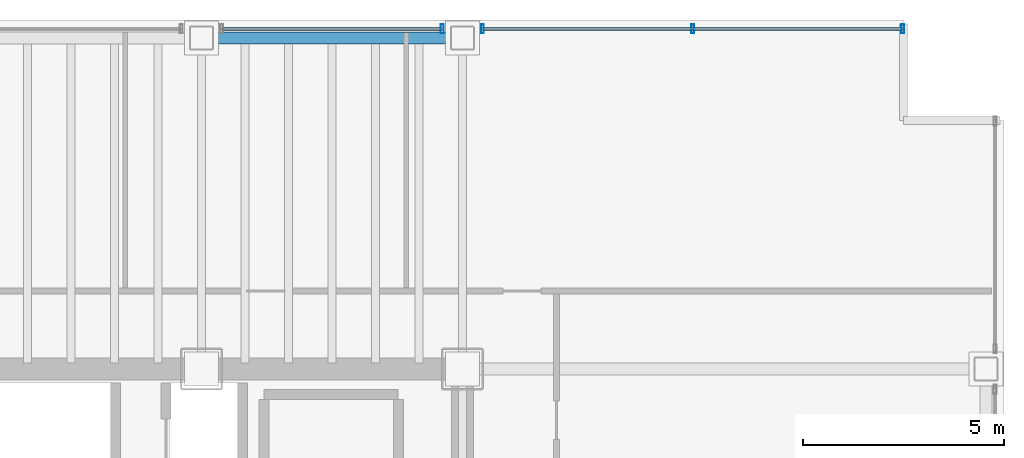
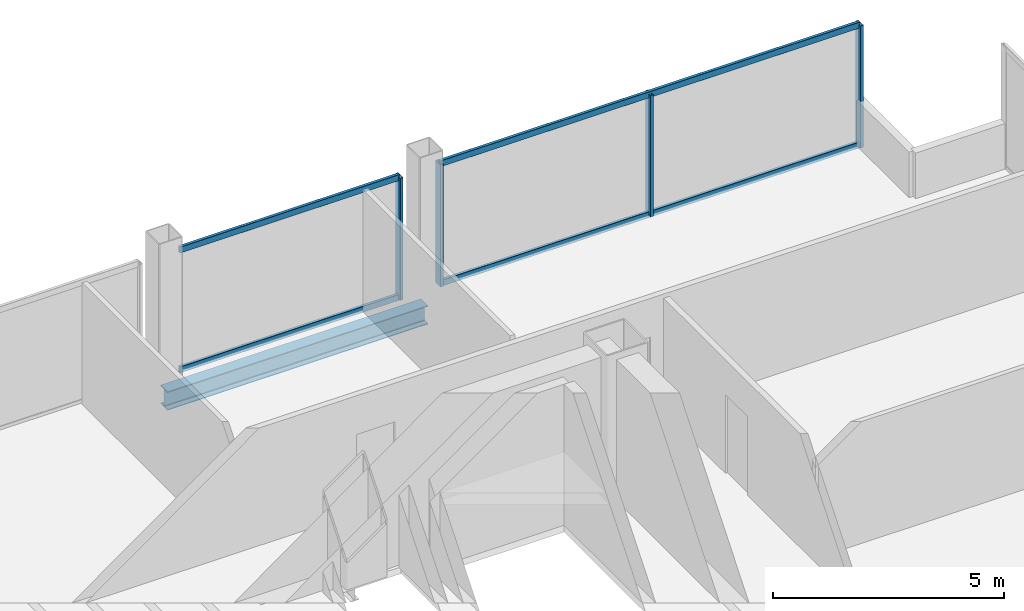
# One storey, part 15 of 20: 8 members, 1 beam, 2 elements without a shape of their own.
"""IFC4 building model written with IfcOpenShell, lengths in metres."""

import ifcopenshell
import ifcopenshell.guid

model = None  # the IFC model being written
_history = None  # IfcOwnerHistory: only IFC2X3 demands one
_inside = {}  # id of a spatial element -> (the spatial element, [elements in it])
_under = {}  # id of a project, library or spatial element -> (it, [spatial elements below it])
_declared = {}  # id of a project -> (the project, [libraries it declares])
_typed = {}  # id of a type object -> (the type object, [elements of that type])
_made_of = {}  # id of a material, layer set ... -> (it, [elements and type objects made of it])


def new_model(schema):
    """Start an empty IFC model of exactly this schema.

    Asked for "IFC4X3", IfcOpenShell would pick the latest addendum, in which some entities
    have other attributes; the version numbers below select the first issue.
    IFC2X3 requires an IfcOwnerHistory on every rooted entity: one is made here for all.
    """
    global model, _history
    if schema == "IFC4X3":
        model = ifcopenshell.file(schema_version=(4, 3, 0, 0))
    else:
        model = ifcopenshell.file(schema=schema)
    _inside.clear()
    _under.clear()
    _declared.clear()
    _typed.clear()
    _made_of.clear()
    _history = None
    if model.schema == "IFC2X3":
        org = make("IfcOrganization", Name="unknown")
        user = make(
            "IfcPersonAndOrganization",
            ThePerson=make("IfcPerson", FamilyName="unknown"),
            TheOrganization=org,
        )
        app = make(
            "IfcApplication",
            ApplicationDeveloper=org,
            Version="unknown",
            ApplicationFullName="unknown",
            ApplicationIdentifier="unknown",
        )
        _history = make(
            "IfcOwnerHistory",
            OwningUser=user,
            OwningApplication=app,
            ChangeAction="ADDED",
            CreationDate=0,
        )
    return model


def make(cls, **values):
    """One entity of the class cls with the attributes given. An attribute that is None is left unset."""
    return model.create_entity(
        cls, **{name: value for name, value in values.items() if value is not None}
    )


def rooted(cls, **values):
    """An entity with a GlobalId (a new one), such as an element, a storey or a relation."""
    return make(cls, GlobalId=ifcopenshell.guid.new(), OwnerHistory=_history, **values)


def si_unit(unit_type, name, prefix=None):
    """IfcSIUnit, for example si_unit("LENGTHUNIT", "METRE", prefix="MILLI")."""
    return make("IfcSIUnit", UnitType=unit_type, Prefix=prefix, Name=name)


def assignment(units):
    """IfcUnitAssignment: the units of a project."""
    return None if units is None else make("IfcUnitAssignment", Units=units)


def point(xyz):
    """IfcCartesianPoint."""
    return None if xyz is None else make("IfcCartesianPoint", Coordinates=xyz)


def direction(xyz):
    """IfcDirection."""
    return None if xyz is None else make("IfcDirection", DirectionRatios=xyz)


def frame(location, z_axis=None, x_axis=None):
    """IfcAxis2Placement3D, a coordinate frame: its origin and axes. An axis left out is left unset."""
    return make(
        "IfcAxis2Placement3D",
        Location=point(location),
        Axis=direction(z_axis),
        RefDirection=direction(x_axis),
    )


def frame_2d(location, x_axis=None):
    """IfcAxis2Placement2D, a coordinate frame in the plane: its origin and x axis."""
    return make(
        "IfcAxis2Placement2D", Location=point(location), RefDirection=direction(x_axis)
    )


def origin():
    """The frame at (0, 0, 0) with its axes left unset."""
    return frame((0.0, 0.0, 0.0))


def origin_2d():
    """The frame at (0, 0) in the plane with its x axis left unset."""
    return frame_2d((0.0, 0.0))


def place(relative_to, where):
    """IfcLocalPlacement: puts the frame where relative to a parent placement (None: the world)."""
    return make(
        "IfcLocalPlacement", PlacementRelTo=relative_to, RelativePlacement=where
    )


def context(
    kind, dimensions, precision=None, world=None, true_north=None, identifier=None
):
    """IfcGeometricRepresentationContext, for example the 3D "Model" context."""
    return make(
        "IfcGeometricRepresentationContext",
        ContextIdentifier=identifier,
        ContextType=kind,
        CoordinateSpaceDimension=dimensions,
        Precision=precision,
        WorldCoordinateSystem=world,
        TrueNorth=true_north,
    )


def subcontext(parent, identifier, kind, view, scale=None):
    """IfcGeometricRepresentationSubContext, for example "Body" below "Model"."""
    return make(
        "IfcGeometricRepresentationSubContext",
        ContextIdentifier=identifier,
        ContextType=kind,
        ParentContext=parent,
        TargetScale=scale,
        TargetView=view,
    )


def project(units=None, contexts=None):
    """IfcProject with its units and contexts."""
    return rooted(
        "IfcProject",
        Name="project",
        RepresentationContexts=contexts,
        UnitsInContext=assignment(units),
    )


def spatial(cls, under=None, at=None, **own):
    """A site, building, storey or space (cls), placed at a placement, below another one or the project."""
    s = rooted(cls, ObjectPlacement=at, **own)
    if under is not None:
        _under.setdefault(under.id(), (under, []))[1].append(s)
    return s


def profile(cls, at=None, kind="AREA", **sizes):
    """A parametric profile (cls). Its sizes go by their IFC names, for example OverallWidth=200.0."""
    return make(cls, ProfileType=kind, Position=at, **sizes)


def hollow_rectangle(**sizes):
    """IfcRectangleHollowProfileDef."""
    return profile("IfcRectangleHollowProfileDef", **sizes)


def i_section(**sizes):
    """IfcIShapeProfileDef."""
    return profile("IfcIShapeProfileDef", **sizes)


def extrude(swept, where, along, depth):
    """IfcExtrudedAreaSolid: the profile swept, set in the frame where, extruded along a direction by depth."""
    return make(
        "IfcExtrudedAreaSolid",
        SweptArea=swept,
        Position=where,
        ExtrudedDirection=direction(along),
        Depth=depth,
    )


def shape(context_of_items, identifier, shape_type, items):
    """IfcShapeRepresentation: the items that make up one representation, for example the "Body"."""
    return make(
        "IfcShapeRepresentation",
        ContextOfItems=context_of_items,
        RepresentationIdentifier=identifier,
        RepresentationType=shape_type,
        Items=items,
    )


def material(Name=None, Category=None):
    """IfcMaterial."""
    return make("IfcMaterial", Name=Name, Category=Category)


def material_profile(
    of_material, cross_section, Name=None, Category=None, Priority=None
):
    """IfcMaterialProfile: a cross section and its material."""
    return make(
        "IfcMaterialProfile",
        Name=Name,
        Material=of_material,
        Profile=cross_section,
        Priority=Priority,
        Category=Category,
    )


def profile_set(profiles, Name=None, composite=None):
    """IfcMaterialProfileSet."""
    return make(
        "IfcMaterialProfileSet",
        Name=Name,
        MaterialProfiles=profiles,
        CompositeProfile=composite,
    )


def made_of(thing, what):
    """Note that an element or type object is made of a material, layer set ...; save() writes the relation."""
    if what is not None:
        _made_of.setdefault(what.id(), (what, []))[1].append(thing)
    return thing


def type_object(cls, material=None, **own):
    """A type object (cls), such as IfcWallType, which elements share."""
    return made_of(rooted(cls, **own), material)


def element(
    cls,
    number,
    at=None,
    inside=None,
    cuts=None,
    type_object=None,
    material=None,
    context=None,
    identifier="Body",
    shape_type=None,
    held_by="IfcProductDefinitionShape",
    body=None,
    shapes=None,
    **own,
):
    """One element of the class cls, such as IfcWall. Its Tag is "e" and its number.

    at: its placement. inside: the storey or other place that contains it. cuts: it is an
    opening in that element (IfcRelVoidsElement). A single representation is given by context,
    identifier, shape_type and body (its items); several are given by shapes. held_by: the class
    of the entity that holds the representations. save() writes the other relations.
    """
    e = rooted(cls, Tag="e%d" % number, ObjectPlacement=at, **own)
    if body is not None:
        shapes = [shape(context, identifier, shape_type, body)]
    if shapes is not None:
        e.Representation = make(held_by, Representations=shapes)
    if inside is not None:
        _inside.setdefault(inside.id(), (inside, []))[1].append(e)
    if cuts is not None:
        rooted(
            "IfcRelVoidsElement", RelatingBuildingElement=cuts, RelatedOpeningElement=e
        )
    if type_object is not None:
        _typed.setdefault(type_object.id(), (type_object, []))[1].append(e)
    return made_of(e, material)


def aggregate(whole, parts):
    """IfcRelAggregates: a whole, such as a stair, and the parts it consists of."""
    return rooted("IfcRelAggregates", RelatingObject=whole, RelatedObjects=parts)


def save(model, path):
    """Write the relations noted so far, then the file.

    IfcRelAggregates (storeys below a building ...), IfcRelContainedInSpatialStructure (elements
    in a storey), IfcRelDefinesByType, IfcRelAssociatesMaterial and IfcRelDeclares: one each for
    every whole, place, type object, material and project.
    """
    for whole, parts in _under.values():
        aggregate(whole, parts)
    for where, things in _inside.values():
        rooted(
            "IfcRelContainedInSpatialStructure",
            RelatedElements=things,
            RelatingStructure=where,
        )
    for kind, things in _typed.values():
        rooted("IfcRelDefinesByType", RelatedObjects=things, RelatingType=kind)
    for what, things in _made_of.values():
        rooted("IfcRelAssociatesMaterial", RelatedObjects=things, RelatingMaterial=what)
    for by, libraries in _declared.values():
        rooted("IfcRelDeclares", RelatingContext=by, RelatedDefinitions=libraries)
    model.write(path)


model = new_model("IFC4")

# Units and contexts
model_context = context("Model", 3, precision=1e-05, world=origin(), true_north=direction((0.0, 1.0)))
body_context = subcontext(model_context, "Body", "Model", "MODEL_VIEW")
ifc_project = project(units=[si_unit("LENGTHUNIT", "METRE"), si_unit("AREAUNIT", "SQUARE_METRE"), si_unit("VOLUMEUNIT", "CUBIC_METRE"), si_unit("PLANEANGLEUNIT", "RADIAN"), si_unit("MASSUNIT", "GRAM", prefix="KILO")], contexts=[model_context])

# Site, building, storey
site_placement = place(None, origin())
site = spatial("IfcSite", under=ifc_project, at=site_placement, CompositionType="ELEMENT")
building_placement = place(site_placement, origin())
building = spatial("IfcBuilding", under=site, at=building_placement, Name="Noeulbin Bourse Tower", CompositionType="ELEMENT")
storey_placement = place(building_placement, frame((0.0, 0.0, 57.699951171875)))
storey = spatial("IfcBuildingStorey", under=building, at=storey_placement, Name="L14", CompositionType="ELEMENT", Elevation=57.699951171875)

# Beam
ifc_material_1 = material(Name="Steel S355", Category="steel")
ifc_material_profile_1 = material_profile(ifc_material_1, i_section(OverallWidth=0.300048828125, OverallDepth=0.488037109375, WebThickness=0.010986328125, FlangeThickness=0.01806640625, FilletRadius=0.02197265625, at=origin_2d()), Name="H-488x300x11x18", Category="LoadBearing")
ifc_profile_set_1 = profile_set([ifc_material_profile_1], Name="Steel S355")
beam_type = type_object("IfcBeamType", Name="BM-SPN-488", PredefinedType="SPANDREL", material=ifc_profile_set_1)
beam_placement = place(storey_placement, frame((37.5, 46.550048828125, -0.424072265625), z_axis=(1.0, 0.0, 0.0), x_axis=(0.0, 1.0, 0.0)))
element("IfcBeam", 1, at=beam_placement, inside=storey, type_object=beam_type, Name="North Spandrel L14-4", PredefinedType="SPANDREL", context=body_context, shape_type="SweptSolid", body=[
    extrude(i_section(OverallWidth=0.300048828125, OverallDepth=0.488037109375, WebThickness=0.010986328125, FlangeThickness=0.01806640625, FilletRadius=0.02197265625, at=origin_2d()), origin(), (0.0, 0.0, 1.0), 6.5),
])

# Curtain wall, member
ifc_material_2 = material(Name="Dark Solar-Control Double Glazing", Category="glass")
curtain_wall_type = type_object("IfcCurtainWallType", Name="CW-SYS-2", PredefinedType="NOTDEFINED", material=ifc_material_2)
curtain_wall_1_placement = place(storey_placement, origin())
curtain_wall_1 = element("IfcCurtainWall", 2, at=curtain_wall_1_placement, inside=storey, type_object=curtain_wall_type, Name="Unitised Curtain Wall CW-L14-N-S5", PredefinedType="NOTDEFINED")
ifc_material_3 = material(Name="Anodised Aluminium 6063-T6", Category="aluminium")
ifc_material_profile_2 = material_profile(ifc_material_3, hollow_rectangle(XDim=0.074951171875, YDim=0.219970703125, WallThickness=0.0048828125, InnerFilletRadius=0.00244140625, OuterFilletRadius=0.0048828125, at=origin_2d()), Name="ALU-MULL-75x220x5", Category="LoadBearing")
ifc_profile_set_2 = profile_set([ifc_material_profile_2], Name="Anodised Aluminium 6063-T6")
member_type_1 = type_object("IfcMemberType", Name="CW-SYS-2-MUL", PredefinedType="MULLION", material=ifc_profile_set_2)
member_1_placement = place(storey_placement, frame((43.5, 46.780029296875, -0.02001953125), z_axis=(0.0, 0.0, 1.0), x_axis=(1.0, 0.0, 0.0)))
member_1 = element("IfcMember", 3, at=member_1_placement, type_object=member_type_1, Name="Curtain Wall Mullion CW-L14-N-S5-M01", PredefinedType="MULLION", context=body_context, shape_type="SweptSolid", body=[
    extrude(hollow_rectangle(XDim=0.074951171875, YDim=0.219970703125, WallThickness=0.0048828125, InnerFilletRadius=0.00244140625, OuterFilletRadius=0.0048828125, at=origin_2d()), origin(), (0.0, 0.0, 1.0), 3.219970703125),
])

# Curtain wall, members
curtain_wall_2_placement = place(storey_placement, origin())
curtain_wall_2 = element("IfcCurtainWall", 4, at=curtain_wall_2_placement, inside=storey, type_object=curtain_wall_type, Name="Unitised Curtain Wall CW-L14-N-S6", PredefinedType="NOTDEFINED")
member_2_placement = place(storey_placement, frame((44.5, 46.780029296875, -0.02001953125), z_axis=(0.0, 0.0, 1.0), x_axis=(1.0, 0.0, 0.0)))
member_2 = element("IfcMember", 5, at=member_2_placement, type_object=member_type_1, Name="Curtain Wall Mullion CW-L14-N-S6-M00", PredefinedType="MULLION", context=body_context, shape_type="SweptSolid", body=[
    extrude(hollow_rectangle(XDim=0.074951171875, YDim=0.219970703125, WallThickness=0.0048828125, InnerFilletRadius=0.00244140625, OuterFilletRadius=0.0048828125, at=origin_2d()), origin(), (0.0, 0.0, 1.0), 3.219970703125),
])
member_3_placement = place(storey_placement, frame((49.739990234375, 46.780029296875, -0.02001953125), z_axis=(0.0, 0.0, 1.0), x_axis=(1.0, 0.0, 0.0)))
member_3 = element("IfcMember", 6, at=member_3_placement, type_object=member_type_1, Name="Curtain Wall Mullion CW-L14-N-S6-M01", PredefinedType="MULLION", context=body_context, shape_type="SweptSolid", body=[
    extrude(hollow_rectangle(XDim=0.074951171875, YDim=0.219970703125, WallThickness=0.0048828125, InnerFilletRadius=0.00244140625, OuterFilletRadius=0.0048828125, at=origin_2d()), origin(), (0.0, 0.0, 1.0), 3.219970703125),
])
member_4_placement = place(storey_placement, frame((54.97998046875, 46.780029296875, -0.02001953125), z_axis=(0.0, 0.0, 1.0), x_axis=(1.0, 0.0, 0.0)))
member_4 = element("IfcMember", 7, at=member_4_placement, type_object=member_type_1, Name="Curtain Wall Mullion CW-L14-N-S6-M02", PredefinedType="MULLION", context=body_context, shape_type="SweptSolid", body=[
    extrude(hollow_rectangle(XDim=0.074951171875, YDim=0.219970703125, WallThickness=0.0048828125, InnerFilletRadius=0.00244140625, OuterFilletRadius=0.0048828125, at=origin_2d()), origin(), (0.0, 0.0, 1.0), 3.219970703125),
])

# Member
ifc_material_profile_3 = material_profile(ifc_material_3, hollow_rectangle(XDim=0.074951171875, YDim=0.159912109375, WallThickness=0.0048828125, InnerFilletRadius=0.00244140625, OuterFilletRadius=0.0048828125, at=origin_2d()), Name="ALU-TRAN-75x160x5", Category="LoadBearing")
ifc_profile_set_3 = profile_set([ifc_material_profile_3], Name="Anodised Aluminium 6063-T6")
member_type_2 = type_object("IfcMemberType", Name="CW-SYS-2-TRN", PredefinedType="USERDEFINED", material=ifc_profile_set_3)
member_5_placement = place(storey_placement, frame((38.010009765625, 46.780029296875, 0.010009765625), z_axis=(1.0, 0.0, 0.0), x_axis=(0.0, 1.0, 0.0)))
member_5 = element("IfcMember", 8, at=member_5_placement, type_object=member_type_2, Name="Curtain Wall Transom CW-L14-N-S5-T00", ObjectType="TRANSOM", PredefinedType="USERDEFINED", context=body_context, shape_type="SweptSolid", body=[
    extrude(hollow_rectangle(XDim=0.074951171875, YDim=0.159912109375, WallThickness=0.0048828125, InnerFilletRadius=0.00244140625, OuterFilletRadius=0.0048828125, at=origin_2d()), origin(), (0.0, 0.0, 1.0), 5.47998046875),
])

member_6_placement = place(storey_placement, frame((38.010009765625, 46.780029296875, 3.170166015625), z_axis=(1.0, 0.0, 0.0), x_axis=(0.0, 1.0, 0.0)))
member_6 = element("IfcMember", 9, at=member_6_placement, type_object=member_type_2, Name="Curtain Wall Transom CW-L14-N-S5-T01", ObjectType="TRANSOM", PredefinedType="USERDEFINED", context=body_context, shape_type="SweptSolid", body=[
    extrude(hollow_rectangle(XDim=0.074951171875, YDim=0.159912109375, WallThickness=0.0048828125, InnerFilletRadius=0.00244140625, OuterFilletRadius=0.0048828125, at=origin_2d()), origin(), (0.0, 0.0, 1.0), 5.47998046875),
])

aggregate(curtain_wall_1, [member_1, member_5, member_6])

member_7_placement = place(storey_placement, frame((44.510009765625, 46.780029296875, 0.010009765625), z_axis=(1.0, 0.0, 0.0), x_axis=(0.0, 1.0, 0.0)))
member_7 = element("IfcMember", 10, at=member_7_placement, type_object=member_type_2, Name="Curtain Wall Transom CW-L14-N-S6-T00", ObjectType="TRANSOM", PredefinedType="USERDEFINED", context=body_context, shape_type="SweptSolid", body=[
    extrude(hollow_rectangle(XDim=0.074951171875, YDim=0.159912109375, WallThickness=0.0048828125, InnerFilletRadius=0.00244140625, OuterFilletRadius=0.0048828125, at=origin_2d()), origin(), (0.0, 0.0, 1.0), 10.4599609375),
])

member_8_placement = place(storey_placement, frame((44.510009765625, 46.780029296875, 3.170166015625), z_axis=(1.0, 0.0, 0.0), x_axis=(0.0, 1.0, 0.0)))
member_8 = element("IfcMember", 11, at=member_8_placement, type_object=member_type_2, Name="Curtain Wall Transom CW-L14-N-S6-T01", ObjectType="TRANSOM", PredefinedType="USERDEFINED", context=body_context, shape_type="SweptSolid", body=[
    extrude(hollow_rectangle(XDim=0.074951171875, YDim=0.159912109375, WallThickness=0.0048828125, InnerFilletRadius=0.00244140625, OuterFilletRadius=0.0048828125, at=origin_2d()), origin(), (0.0, 0.0, 1.0), 10.4599609375),
])

aggregate(curtain_wall_2, [member_2, member_3, member_4, member_7, member_8])

save(model, "model.ifc")
